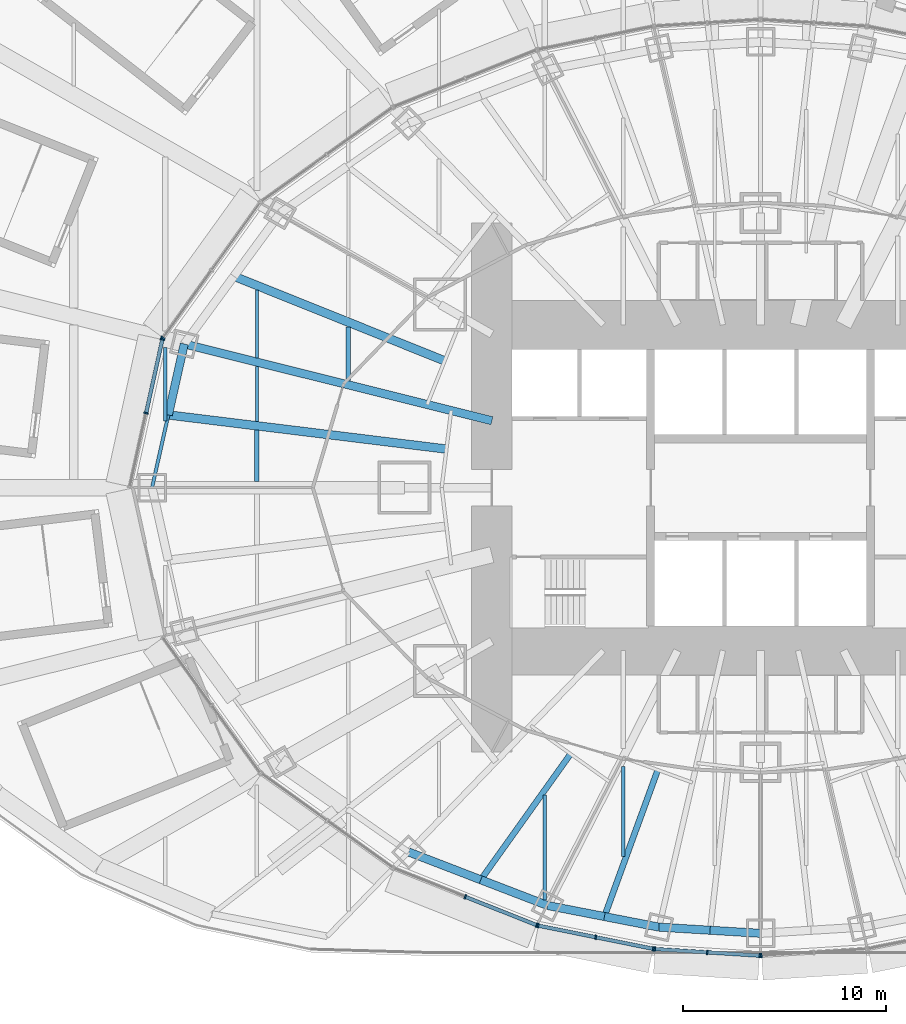
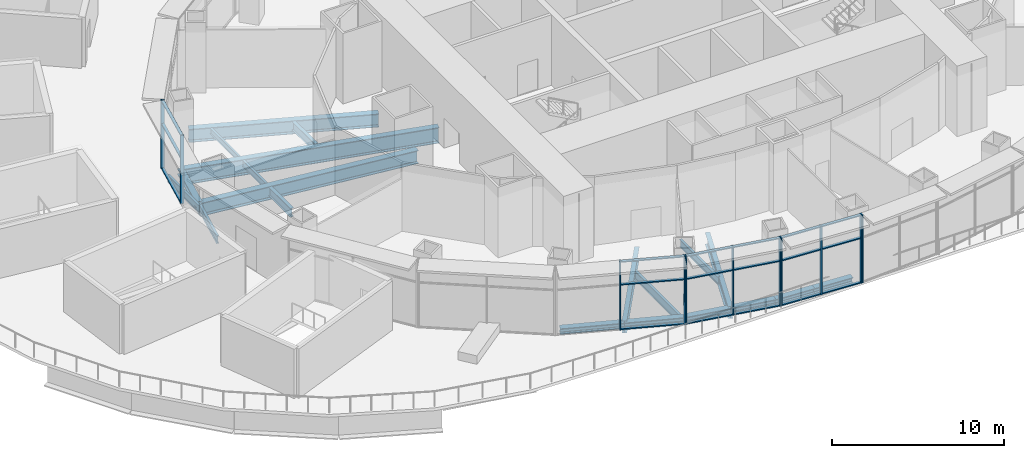
# One storey, part 3 of 25: 30 members, 20 beams, 6 elements without a shape of their own.
"""IFC4 building model written with IfcOpenShell, lengths in metres."""

from ifc_helpers import new_model, si_unit, direction, frame, origin, origin_2d, place, context, subcontext, project, spatial, rectangle, i_section, extrude, material, material_profile, profile_set, type_object, element, aggregate, save


model = new_model("IFC4")

# Units and contexts
model_context = context("Model", 3, precision=1e-05, world=origin(), true_north=direction((0.0, 1.0)))
body_context = subcontext(model_context, "Body", "Model", "MODEL_VIEW")
ifc_project = project(units=[si_unit("LENGTHUNIT", "METRE"), si_unit("AREAUNIT", "SQUARE_METRE"), si_unit("VOLUMEUNIT", "CUBIC_METRE"), si_unit("PLANEANGLEUNIT", "RADIAN"), si_unit("MASSUNIT", "GRAM", prefix="KILO")], contexts=[model_context])

# Site, building, storey
site_placement = place(None, origin())
site = spatial("IfcSite", under=ifc_project, at=site_placement, CompositionType="ELEMENT")
building_placement = place(site_placement, origin())
building = spatial("IfcBuilding", under=site, at=building_placement, Name="Lantaw Convention Tower", CompositionType="ELEMENT")
storey_placement = place(building_placement, frame((0.0, 0.0, 32.0)))
storey = spatial("IfcBuildingStorey", under=building, at=storey_placement, Name="L05", CompositionType="ELEMENT", Elevation=32.0)

# Beams
ifc_material_1 = material(Name="Steel ASTM A992", Category="steel")
ifc_material_profile_1 = material_profile(ifc_material_1, i_section(OverallWidth=0.40380859375, OverallDepth=0.406494140625, WebThickness=0.027099609375, FlangeThickness=0.043701171875, FilletRadius=0.01513671875, at=origin_2d()), Name="W14X233")
ifc_profile_set_1 = profile_set([ifc_material_profile_1], Name="Steel ASTM A992")
beam_type_1 = type_object("IfcBeamType", Name="Beam E W14X233", PredefinedType="SPANDREL", material=ifc_profile_set_1)
beam_1_placement = place(storey_placement, frame((-28.31787109375, 7.060302734375, -0.4033203125), z_axis=(-0.218673326171, -0.97579812278, 0.0), x_axis=(0.97579812278, -0.218673326171, 0.0)))
element("IfcBeam", 1, at=beam_1_placement, inside=storey, type_object=beam_type_1, Name="Edge beam 12", PredefinedType="SPANDREL", context=body_context, shape_type="SweptSolid", body=[
    extrude(i_section(OverallWidth=0.40380859375, OverallDepth=0.406494140625, WebThickness=0.027099609375, FlangeThickness=0.043701171875, FilletRadius=0.01513671875, at=origin_2d()), origin(), (0.0, 0.0, 1.0), 3.57373046875),
])
beam_2_placement = place(storey_placement, frame((-17.290771484375, -17.9052734375, -0.4033203125), z_axis=(0.933224646415, -0.359293416754, 0.0), x_axis=(0.359293416754, 0.933224646415, 0.0)))
element("IfcBeam", 2, at=beam_2_placement, inside=storey, type_object=beam_type_1, Name="Edge beam 16", PredefinedType="SPANDREL", context=body_context, shape_type="SweptSolid", body=[
    extrude(i_section(OverallWidth=0.40380859375, OverallDepth=0.406494140625, WebThickness=0.027099609375, FlangeThickness=0.043701171875, FilletRadius=0.01513671875, at=origin_2d()), origin(), (0.0, 0.0, 1.0), 3.799072265625),
])
beam_3_placement = place(storey_placement, frame((-13.745361328125, -19.270263671875, -0.4033203125), z_axis=(0.933241815012, -0.359248820058, 0.0), x_axis=(0.359248820058, 0.933241815012, 0.0)))
element("IfcBeam", 3, at=beam_3_placement, inside=storey, type_object=beam_type_1, Name="Edge beam 16", PredefinedType="SPANDREL", context=body_context, shape_type="SweptSolid", body=[
    extrude(i_section(OverallWidth=0.40380859375, OverallDepth=0.406494140625, WebThickness=0.027099609375, FlangeThickness=0.043701171875, FilletRadius=0.01513671875, at=origin_2d()), origin(), (0.0, 0.0, 1.0), 3.517578125),
])
beam_4_placement = place(storey_placement, frame((-10.462646484375, -20.533935546875, -0.4033203125), z_axis=(0.98163593748, -0.190763954266, 0.0), x_axis=(0.190763954266, 0.98163593748, 0.0)))
element("IfcBeam", 4, at=beam_4_placement, inside=storey, type_object=beam_type_1, Name="Edge beam 17", PredefinedType="SPANDREL", context=body_context, shape_type="SweptSolid", body=[
    extrude(i_section(OverallWidth=0.40380859375, OverallDepth=0.406494140625, WebThickness=0.027099609375, FlangeThickness=0.043701171875, FilletRadius=0.01513671875, at=origin_2d()), origin(), (0.0, 0.0, 1.0), 2.84375),
])
beam_5_placement = place(storey_placement, frame((-7.671142578125, -21.076416015625, -0.4033203125), z_axis=(0.981637218105, -0.190757364289, 0.0), x_axis=(0.190757364289, 0.981637218105, 0.0)))
element("IfcBeam", 5, at=beam_5_placement, inside=storey, type_object=beam_type_1, Name="Edge beam 17", PredefinedType="SPANDREL", context=body_context, shape_type="SweptSolid", body=[
    extrude(i_section(OverallWidth=0.40380859375, OverallDepth=0.406494140625, WebThickness=0.027099609375, FlangeThickness=0.043701171875, FilletRadius=0.01513671875, at=origin_2d()), origin(), (0.0, 0.0, 1.0), 2.735107421875),
])
beam_6_placement = place(storey_placement, frame((-4.986328125, -21.59814453125, -0.4033203125), z_axis=(0.998172405641, -0.060430527186, 0.0), x_axis=(0.060430527186, 0.998172405641, 0.0)))
element("IfcBeam", 6, at=beam_6_placement, inside=storey, type_object=beam_type_1, Name="Edge beam 18", PredefinedType="SPANDREL", context=body_context, shape_type="SweptSolid", body=[
    extrude(i_section(OverallWidth=0.40380859375, OverallDepth=0.406494140625, WebThickness=0.027099609375, FlangeThickness=0.043701171875, FilletRadius=0.01513671875, at=origin_2d()), origin(), (0.0, 0.0, 1.0), 2.512939453125),
])
beam_7_placement = place(storey_placement, frame((-2.47802734375, -21.75, -0.4033203125), z_axis=(0.998175328335, -0.060382231685, 0.0), x_axis=(0.060382231685, 0.998175328335, 0.0)))
element("IfcBeam", 7, at=beam_7_placement, inside=storey, type_object=beam_type_1, Name="Edge beam 18", PredefinedType="SPANDREL", context=body_context, shape_type="SweptSolid", body=[
    extrude(i_section(OverallWidth=0.40380859375, OverallDepth=0.406494140625, WebThickness=0.027099609375, FlangeThickness=0.043701171875, FilletRadius=0.01513671875, at=origin_2d()), origin(), (0.0, 0.0, 1.0), 2.482666015625),
])
ifc_material_profile_2 = material_profile(ifc_material_1, i_section(OverallWidth=0.165771484375, OverallDepth=0.5283203125, WebThickness=0.009765625, FlangeThickness=0.013671875, FilletRadius=0.012939453125, at=origin_2d()), Name="W21X50")
ifc_profile_set_2 = profile_set([ifc_material_profile_2], Name="Steel ASTM A992")
beam_type_2 = type_object("IfcBeamType", Name="Beam E W21X50", PredefinedType="SPANDREL", material=ifc_profile_set_2)
beam_8_placement = place(storey_placement, frame((-29.099365234375, 3.572998046875, -0.464111328125), z_axis=(-0.218631550323, -0.975807483679, 0.0), x_axis=(0.975807483679, -0.218631550323, 0.0)))
element("IfcBeam", 8, at=beam_8_placement, inside=storey, type_object=beam_type_2, Name="Edge beam 12", PredefinedType="SPANDREL", context=body_context, shape_type="SweptSolid", body=[
    extrude(i_section(OverallWidth=0.165771484375, OverallDepth=0.5283203125, WebThickness=0.009765625, FlangeThickness=0.013671875, FilletRadius=0.012939453125, at=origin_2d()), origin(), (0.0, 0.0, 1.0), 3.66162109375),
])
ifc_material_profile_3 = material_profile(ifc_material_1, i_section(OverallWidth=0.2919921875, OverallDepth=0.845703125, WebThickness=0.015380859375, FlangeThickness=0.0244140625, FilletRadius=0.01513671875, at=origin_2d()), Name="W33X141")
ifc_profile_set_3 = profile_set([ifc_material_profile_3], Name="Steel ASTM A992")
beam_type_3 = type_object("IfcBeamType", Name="Beam G W33X141", PredefinedType="BEAM", material=ifc_profile_set_3)
beam_9_placement = place(storey_placement, frame((-9.335693359375, -13.088134765625, -0.622802734375), z_axis=(-0.580702805158, -0.814115625745, 0.0), x_axis=(0.814115625745, -0.580702805158, 0.0)))
element("IfcBeam", 9, at=beam_9_placement, inside=storey, type_object=beam_type_3, Name="Floor girder on bisector 16", PredefinedType="BEAM", context=body_context, shape_type="SweptSolid", body=[
    extrude(i_section(OverallWidth=0.2919921875, OverallDepth=0.845703125, WebThickness=0.015380859375, FlangeThickness=0.0244140625, FilletRadius=0.01513671875, at=origin_2d()), origin(), (0.0, 0.0, 1.0), 7.59375),
])
beam_10_placement = place(storey_placement, frame((-5.04931640625, -13.873046875, -0.622802734375), z_axis=(-0.342021781151, -0.939692024664, 0.0), x_axis=(0.939692024664, -0.342021781151, 0.0)))
element("IfcBeam", 10, at=beam_10_placement, inside=storey, type_object=beam_type_3, Name="Floor girder on bisector 17", PredefinedType="BEAM", context=body_context, shape_type="SweptSolid", body=[
    extrude(i_section(OverallWidth=0.2919921875, OverallDepth=0.845703125, WebThickness=0.015380859375, FlangeThickness=0.0244140625, FilletRadius=0.01513671875, at=origin_2d()), origin(), (0.0, 0.0, 1.0), 7.665771484375),
])
ifc_material_profile_4 = material_profile(ifc_material_1, i_section(OverallWidth=0.421630859375, OverallDepth=0.937255859375, WebThickness=0.0224609375, FlangeThickness=0.039794921875, FilletRadius=0.02001953125, at=origin_2d()), Name="W36X282")
ifc_profile_set_4 = profile_set([ifc_material_profile_4], Name="Steel ASTM A992")
beam_type_4 = type_object("IfcBeamType", Name="Beam G W36X282", PredefinedType="BEAM", material=ifc_profile_set_4)
beam_11_placement = place(storey_placement, frame((-15.52001953125, 6.23046875, -0.668701171875), z_axis=(-0.928018900171, 0.372533113864, 0.0), x_axis=(-0.372533113864, -0.928018900171, 0.0)))
element("IfcBeam", 11, at=beam_11_placement, inside=storey, type_object=beam_type_4, Name="Floor girder on bisector 11", PredefinedType="BEAM", context=body_context, shape_type="SweptSolid", body=[
    extrude(i_section(OverallWidth=0.421630859375, OverallDepth=0.937255859375, WebThickness=0.0224609375, FlangeThickness=0.039794921875, FilletRadius=0.02001953125, at=origin_2d()), origin(), (0.0, 0.0, 1.0), 11.161376953125),
])
beam_12_placement = place(storey_placement, frame((-15.433349609375, 1.89501953125, -0.668701171875), z_axis=(-0.99254612715, 0.121869542874, 0.0), x_axis=(-0.121869542874, -0.99254612715, 0.0)))
element("IfcBeam", 12, at=beam_12_placement, inside=storey, type_object=beam_type_4, Name="Floor girder on bisector 12", PredefinedType="BEAM", context=body_context, shape_type="SweptSolid", body=[
    extrude(i_section(OverallWidth=0.421630859375, OverallDepth=0.937255859375, WebThickness=0.0224609375, FlangeThickness=0.039794921875, FilletRadius=0.02001953125, at=origin_2d()), origin(), (0.0, 0.0, 1.0), 13.7685546875),
])
ifc_material_profile_5 = material_profile(ifc_material_1, i_section(OverallWidth=0.40380859375, OverallDepth=1.11767578125, WebThickness=0.026123046875, FlangeThickness=0.044921875, FilletRadius=0.02001953125, at=origin_2d()), Name="W44X335")
ifc_profile_set_5 = profile_set([ifc_material_profile_5], Name="Steel ASTM A992")
beam_type_5 = type_object("IfcBeamType", Name="Beam G W44X335", PredefinedType="BEAM", material=ifc_profile_set_5)
beam_13_placement = place(storey_placement, frame((-13.199951171875, 3.291015625, -0.7587890625), z_axis=(-0.970296233567, 0.241919860957, 0.0), x_axis=(-0.241919860957, -0.970296233567, 0.0)))
element("IfcBeam", 13, at=beam_13_placement, inside=storey, type_object=beam_type_5, Name="Floor girder on ray 12", PredefinedType="BEAM", context=body_context, shape_type="SweptSolid", body=[
    extrude(i_section(OverallWidth=0.40380859375, OverallDepth=1.11767578125, WebThickness=0.026123046875, FlangeThickness=0.044921875, FilletRadius=0.02001953125, at=origin_2d()), origin(), (0.0, 0.0, 1.0), 15.580810546875),
])
ifc_material_profile_6 = material_profile(ifc_material_1, i_section(OverallWidth=0.140380859375, OverallDepth=0.40380859375, WebThickness=0.007080078125, FlangeThickness=0.01123046875, FilletRadius=0.01025390625, at=origin_2d()), Name="W16X31")
ifc_profile_set_6 = profile_set([ifc_material_profile_6], Name="Steel ASTM A992")
beam_type_6 = type_object("IfcBeamType", Name="Beam J W16X31", PredefinedType="JOIST", material=ifc_profile_set_6)
beam_14_placement = place(storey_placement, frame((-24.75, 6.37890625, -0.40185546875), z_axis=(0.0, 1.0, 0.0), x_axis=(-1.0, 0.0, 0.0)))
element("IfcBeam", 14, at=beam_14_placement, inside=storey, type_object=beam_type_6, Name="Floor joist", PredefinedType="JOIST", context=body_context, shape_type="SweptSolid", body=[
    extrude(i_section(OverallWidth=0.140380859375, OverallDepth=0.40380859375, WebThickness=0.007080078125, FlangeThickness=0.01123046875, FilletRadius=0.01025390625, at=origin_2d()), origin(), (0.0, 0.0, 1.0), 3.32958984375),
])
ifc_material_profile_7 = material_profile(ifc_material_1, i_section(OverallWidth=0.15234375, OverallDepth=0.449462890625, WebThickness=0.007568359375, FlangeThickness=0.0107421875, FilletRadius=0.01025390625, at=origin_2d()), Name="W18X35")
ifc_profile_set_7 = profile_set([ifc_material_profile_7], Name="Steel ASTM A992")
beam_type_7 = type_object("IfcBeamType", Name="Beam J W18X35", PredefinedType="JOIST", material=ifc_profile_set_7)
beam_15_placement = place(storey_placement, frame((-24.75, 3.251220703125, -0.4248046875), z_axis=(0.0, 1.0, 0.0), x_axis=(-1.0, 0.0, 0.0)))
element("IfcBeam", 15, at=beam_15_placement, inside=storey, type_object=beam_type_7, Name="Floor joist", PredefinedType="JOIST", context=body_context, shape_type="SweptSolid", body=[
    extrude(i_section(OverallWidth=0.15234375, OverallDepth=0.449462890625, WebThickness=0.007568359375, FlangeThickness=0.0107421875, FilletRadius=0.01025390625, at=origin_2d()), origin(), (0.0, 0.0, 1.0), 2.71142578125),
])
ifc_material_profile_8 = material_profile(ifc_material_1, i_section(OverallWidth=0.1650390625, OverallDepth=0.52587890625, WebThickness=0.0087890625, FlangeThickness=0.011474609375, FilletRadius=0.0126953125, at=origin_2d()), Name="W21X44")
ifc_profile_set_8 = profile_set([ifc_material_profile_8], Name="Steel ASTM A992")
beam_type_8 = type_object("IfcBeamType", Name="Beam J W21X44", PredefinedType="JOIST", material=ifc_profile_set_8)
beam_16_placement = place(storey_placement, frame((-29.25, 3.27978515625, -0.462890625), z_axis=(0.0, 1.0, 0.0), x_axis=(-1.0, 0.0, 0.0)))
element("IfcBeam", 16, at=beam_16_placement, inside=storey, type_object=beam_type_8, Name="Floor joist", PredefinedType="JOIST", context=body_context, shape_type="SweptSolid", body=[
    extrude(i_section(OverallWidth=0.1650390625, OverallDepth=0.52587890625, WebThickness=0.0087890625, FlangeThickness=0.011474609375, FilletRadius=0.0126953125, at=origin_2d()), origin(), (0.0, 0.0, 1.0), 3.600830078125),
])
beam_17_placement = place(storey_placement, frame((-6.75, -18.118408203125, -0.462890625), z_axis=(0.0, 1.0, 0.0), x_axis=(-1.0, 0.0, 0.0)))
element("IfcBeam", 17, at=beam_17_placement, inside=storey, type_object=beam_type_8, Name="Floor joist", PredefinedType="JOIST", context=body_context, shape_type="SweptSolid", body=[
    extrude(i_section(OverallWidth=0.1650390625, OverallDepth=0.52587890625, WebThickness=0.0087890625, FlangeThickness=0.011474609375, FilletRadius=0.0126953125, at=origin_2d()), origin(), (0.0, 0.0, 1.0), 4.425048828125),
])
ifc_material_profile_9 = material_profile(ifc_material_1, i_section(OverallWidth=0.177978515625, OverallDepth=0.599365234375, WebThickness=0.010009765625, FlangeThickness=0.012939453125, FilletRadius=0.012939453125, at=origin_2d()), Name="W24X55")
ifc_profile_set_9 = profile_set([ifc_material_profile_9], Name="Steel ASTM A992")
beam_type_9 = type_object("IfcBeamType", Name="Beam J W24X55", PredefinedType="JOIST", material=ifc_profile_set_9)
beam_18_placement = place(storey_placement, frame((-10.60009765625, -20.2646484375, -0.499755859375), z_axis=(0.0, 1.0, 0.0), x_axis=(-1.0, 0.0, 0.0)))
element("IfcBeam", 18, at=beam_18_placement, inside=storey, type_object=beam_type_9, Name="Floor joist", PredefinedType="JOIST", context=body_context, shape_type="SweptSolid", body=[
    extrude(i_section(OverallWidth=0.177978515625, OverallDepth=0.599365234375, WebThickness=0.010009765625, FlangeThickness=0.012939453125, FilletRadius=0.012939453125, at=origin_2d()), origin(), (0.0, 0.0, 1.0), 5.152587890625),
])
ifc_material_profile_10 = material_profile(ifc_material_1, i_section(OverallWidth=0.227783203125, OverallDepth=0.60205078125, WebThickness=0.010498046875, FlangeThickness=0.014892578125, FilletRadius=0.012939453125, at=origin_2d()), Name="W24X68")
ifc_profile_set_10 = profile_set([ifc_material_profile_10], Name="Steel ASTM A992")
beam_type_10 = type_object("IfcBeamType", Name="Beam J W24X68", PredefinedType="JOIST", material=ifc_profile_set_10)
beam_19_placement = place(storey_placement, frame((-20.25, 5.257080078125, -0.5009765625), z_axis=(0.0, 1.0, 0.0), x_axis=(-1.0, 0.0, 0.0)))
element("IfcBeam", 19, at=beam_19_placement, inside=storey, type_object=beam_type_10, Name="Floor joist", PredefinedType="JOIST", context=body_context, shape_type="SweptSolid", body=[
    extrude(i_section(OverallWidth=0.227783203125, OverallDepth=0.60205078125, WebThickness=0.010498046875, FlangeThickness=0.014892578125, FilletRadius=0.012939453125, at=origin_2d()), origin(), (0.0, 0.0, 1.0), 2.64501953125),
])
ifc_material_profile_11 = material_profile(ifc_material_1, i_section(OverallWidth=0.22900390625, OverallDepth=0.612060546875, WebThickness=0.011962890625, FlangeThickness=0.01953125, FilletRadius=0.0126953125, at=origin_2d()), Name="W24X84")
ifc_profile_set_11 = profile_set([ifc_material_profile_11], Name="Steel ASTM A992")
beam_type_11 = type_object("IfcBeamType", Name="Beam J W24X84", PredefinedType="JOIST", material=ifc_profile_set_11)
beam_20_placement = place(storey_placement, frame((-24.75, 0.300048828125, -0.506103515625), z_axis=(0.0, 1.0, 0.0), x_axis=(-1.0, 0.0, 0.0)))
element("IfcBeam", 20, at=beam_20_placement, inside=storey, type_object=beam_type_11, Name="Floor joist", PredefinedType="JOIST", context=body_context, shape_type="SweptSolid", body=[
    extrude(i_section(OverallWidth=0.22900390625, OverallDepth=0.612060546875, WebThickness=0.011962890625, FlangeThickness=0.01953125, FilletRadius=0.0126953125, at=origin_2d()), origin(), (0.0, 0.0, 1.0), 2.5263671875),
])

# Curtain wall, member
ifc_material_2 = material(Name="Aluminium framed curtain wall", Category="aluminium")
curtain_wall_type = type_object("IfcCurtainWallType", Name="Sky lobby curtain wall L05, pale aluminium", PredefinedType="USERDEFINED", material=ifc_material_2)
curtain_wall_1_placement = place(storey_placement, origin())
curtain_wall_1 = element("IfcCurtainWall", 21, at=curtain_wall_1_placement, inside=storey, type_object=curtain_wall_type, Name="Sky lobby curtain wall L05, pale aluminium L05", ObjectType="STICK CURTAIN WALL", PredefinedType="USERDEFINED")
ifc_material_3 = material(Name="Aluminium 6063-T6", Category="aluminium")
ifc_material_profile_12 = material_profile(ifc_material_3, rectangle(XDim=0.22509765625, YDim=0.074951171875, at=origin_2d()), Name="CW-HL mullion 75x225")
ifc_profile_set_12 = profile_set([ifc_material_profile_12], Name="Aluminium 6063-T6")
member_type_1 = type_object("IfcMemberType", Name="CW-HL mullion 75x225", PredefinedType="MULLION", material=ifc_profile_set_12)
member_1_placement = place(storey_placement, frame((-29.36328125, 7.35693359375, 0.0), z_axis=(0.0, 0.0, 1.0), x_axis=(0.811788726895, -0.583951250436, 0.0)))
member_1 = element("IfcMember", 22, at=member_1_placement, type_object=member_type_1, Name="CW-HL mullion 3", PredefinedType="MULLION", context=body_context, shape_type="SweptSolid", body=[
    extrude(rectangle(XDim=0.22509765625, YDim=0.074951171875, at=origin_2d()), origin(), (0.0, 0.0, 1.0), 4.85009765625),
])
aggregate(curtain_wall_1, [member_1])

# Curtain wall, members
curtain_wall_2_placement = place(storey_placement, origin())
curtain_wall_2 = element("IfcCurtainWall", 23, at=curtain_wall_2_placement, inside=storey, type_object=curtain_wall_type, Name="Sky lobby curtain wall L05, pale aluminium L05", ObjectType="STICK CURTAIN WALL", PredefinedType="USERDEFINED")
member_2_placement = place(storey_placement, frame((-29.393310546875, 7.2900390625, 0.0), z_axis=(0.0, 0.0, 1.0), x_axis=(0.976559847223, -0.215246056391, 0.0)))
member_2 = element("IfcMember", 24, at=member_2_placement, type_object=member_type_1, Name="CW-HL mullion 1", PredefinedType="MULLION", context=body_context, shape_type="SweptSolid", body=[
    extrude(rectangle(XDim=0.22509765625, YDim=0.074951171875, at=origin_2d()), origin(), (0.0, 0.0, 1.0), 4.85009765625),
])
member_3_placement = place(storey_placement, frame((-30.192626953125, 3.663330078125, 0.0), z_axis=(0.0, 0.0, 1.0), x_axis=(0.976559847223, -0.215246056391, 0.0)))
member_3 = element("IfcMember", 25, at=member_3_placement, type_object=member_type_1, Name="CW-HL mullion 2", PredefinedType="MULLION", context=body_context, shape_type="SweptSolid", body=[
    extrude(rectangle(XDim=0.22509765625, YDim=0.074951171875, at=origin_2d()), origin(), (0.0, 0.0, 1.0), 4.85009765625),
])

curtain_wall_3_placement = place(storey_placement, origin())
curtain_wall_3 = element("IfcCurtainWall", 26, at=curtain_wall_3_placement, inside=storey, type_object=curtain_wall_type, Name="Sky lobby curtain wall L05, pale aluminium L05", ObjectType="STICK CURTAIN WALL", PredefinedType="USERDEFINED")
member_4_placement = place(storey_placement, frame((-14.508544921875, -20.105224609375, 0.0), z_axis=(0.0, 0.0, 1.0), x_axis=(0.369171840425, 0.929361152748, 0.0)))
member_4 = element("IfcMember", 27, at=member_4_placement, type_object=member_type_1, Name="CW-HL mullion 2", PredefinedType="MULLION", context=body_context, shape_type="SweptSolid", body=[
    extrude(rectangle(XDim=0.22509765625, YDim=0.074951171875, at=origin_2d()), origin(), (0.0, 0.0, 1.0), 4.85009765625),
])
member_5_placement = place(storey_placement, frame((-10.996826171875, -21.500244140625, 0.0), z_axis=(0.0, 0.0, 1.0), x_axis=(0.369171840425, 0.929361152748, 0.0)))
member_5 = element("IfcMember", 28, at=member_5_placement, type_object=member_type_1, Name="CW-HL mullion 3", PredefinedType="MULLION", context=body_context, shape_type="SweptSolid", body=[
    extrude(rectangle(XDim=0.22509765625, YDim=0.074951171875, at=origin_2d()), origin(), (0.0, 0.0, 1.0), 4.85009765625),
])

curtain_wall_4_placement = place(storey_placement, origin())
curtain_wall_4 = element("IfcCurtainWall", 29, at=curtain_wall_4_placement, inside=storey, type_object=curtain_wall_type, Name="Sky lobby curtain wall L05, pale aluminium L05", ObjectType="STICK CURTAIN WALL", PredefinedType="USERDEFINED")
member_6_placement = place(storey_placement, frame((-10.92529296875, -21.521484375, 0.0), z_axis=(0.0, 0.0, 1.0), x_axis=(0.197789067813, 0.980244604501, 0.0)))
member_6 = element("IfcMember", 30, at=member_6_placement, type_object=member_type_1, Name="CW-HL mullion 1", PredefinedType="MULLION", context=body_context, shape_type="SweptSolid", body=[
    extrude(rectangle(XDim=0.22509765625, YDim=0.074951171875, at=origin_2d()), origin(), (0.0, 0.0, 1.0), 4.85009765625),
])
member_7_placement = place(storey_placement, frame((-8.097900390625, -22.092041015625, 0.0), z_axis=(0.0, 0.0, 1.0), x_axis=(0.197789067813, 0.980244604501, 0.0)))
member_7 = element("IfcMember", 31, at=member_7_placement, type_object=member_type_1, Name="CW-HL mullion 2", PredefinedType="MULLION", context=body_context, shape_type="SweptSolid", body=[
    extrude(rectangle(XDim=0.22509765625, YDim=0.074951171875, at=origin_2d()), origin(), (0.0, 0.0, 1.0), 4.85009765625),
])
member_8_placement = place(storey_placement, frame((-5.2705078125, -22.662353515625, 0.0), z_axis=(0.0, 0.0, 1.0), x_axis=(0.197789067813, 0.980244604501, 0.0)))
member_8 = element("IfcMember", 32, at=member_8_placement, type_object=member_type_1, Name="CW-HL mullion 3", PredefinedType="MULLION", context=body_context, shape_type="SweptSolid", body=[
    extrude(rectangle(XDim=0.22509765625, YDim=0.074951171875, at=origin_2d()), origin(), (0.0, 0.0, 1.0), 4.85009765625),
])

curtain_wall_5_placement = place(storey_placement, origin())
curtain_wall_5 = element("IfcCurtainWall", 33, at=curtain_wall_5_placement, inside=storey, type_object=curtain_wall_type, Name="Sky lobby curtain wall L05, pale aluminium L05", ObjectType="STICK CURTAIN WALL", PredefinedType="USERDEFINED")
member_9_placement = place(storey_placement, frame((-5.1962890625, -22.672119140625, 0.0), z_axis=(0.0, 0.0, 1.0), x_axis=(0.062958373078, 0.998016153807, 0.0)))
member_9 = element("IfcMember", 34, at=member_9_placement, type_object=member_type_1, Name="CW-HL mullion 1", PredefinedType="MULLION", context=body_context, shape_type="SweptSolid", body=[
    extrude(rectangle(XDim=0.22509765625, YDim=0.074951171875, at=origin_2d()), origin(), (0.0, 0.0, 1.0), 4.85009765625),
])
member_10_placement = place(storey_placement, frame((-2.616943359375, -22.8349609375, 0.0), z_axis=(0.0, 0.0, 1.0), x_axis=(0.062958373078, 0.998016153807, 0.0)))
member_10 = element("IfcMember", 35, at=member_10_placement, type_object=member_type_1, Name="CW-HL mullion 2", PredefinedType="MULLION", context=body_context, shape_type="SweptSolid", body=[
    extrude(rectangle(XDim=0.22509765625, YDim=0.074951171875, at=origin_2d()), origin(), (0.0, 0.0, 1.0), 4.85009765625),
])
member_11_placement = place(storey_placement, frame((-0.037353515625, -22.99755859375, 0.0), z_axis=(0.0, 0.0, 1.0), x_axis=(0.062958373078, 0.998016153807, 0.0)))
member_11 = element("IfcMember", 36, at=member_11_placement, type_object=member_type_1, Name="CW-HL mullion 3", PredefinedType="MULLION", context=body_context, shape_type="SweptSolid", body=[
    extrude(rectangle(XDim=0.22509765625, YDim=0.074951171875, at=origin_2d()), origin(), (0.0, 0.0, 1.0), 4.85009765625),
])

# Curtain wall, member
curtain_wall_6_placement = place(storey_placement, origin())
curtain_wall_6 = element("IfcCurtainWall", 37, at=curtain_wall_6_placement, inside=storey, type_object=curtain_wall_type, Name="Sky lobby curtain wall L05, pale aluminium L05", ObjectType="STICK CURTAIN WALL", PredefinedType="USERDEFINED")
member_12_placement = place(storey_placement, frame((0.037353515625, -22.99755859375, 0.0), z_axis=(0.0, 0.0, 1.0), x_axis=(-0.062958373078, 0.998016153807, 0.0)))
member_12 = element("IfcMember", 38, at=member_12_placement, type_object=member_type_1, Name="CW-HL mullion 1", PredefinedType="MULLION", context=body_context, shape_type="SweptSolid", body=[
    extrude(rectangle(XDim=0.22509765625, YDim=0.074951171875, at=origin_2d()), origin(), (0.0, 0.0, 1.0), 4.85009765625),
])
aggregate(curtain_wall_6, [member_12])

# Member
ifc_material_profile_13 = material_profile(ifc_material_3, rectangle(XDim=0.179931640625, YDim=0.074951171875, at=origin_2d()), Name="CW-HL transom 75x180")
ifc_profile_set_13 = profile_set([ifc_material_profile_13], Name="Aluminium 6063-T6")
member_type_2 = type_object("IfcMemberType", Name="CW-HL transom 75x180", PredefinedType="USERDEFINED", material=ifc_profile_set_13)
member_13_placement = place(storey_placement, frame((-29.4013671875, 7.25341796875, 0.03759765625), z_axis=(-0.215239349511, -0.976561325479, 0.0), x_axis=(0.976561325479, -0.215239349511, 0.0)))
member_13 = element("IfcMember", 39, at=member_13_placement, type_object=member_type_2, Name="CW-HL transom 1.1", ObjectType="TRANSOM", PredefinedType="USERDEFINED", context=body_context, shape_type="SweptSolid", body=[
    extrude(rectangle(XDim=0.179931640625, YDim=0.074951171875, at=origin_2d()), origin(), (0.0, 0.0, 1.0), 3.638671875),
])

member_14_placement = place(storey_placement, frame((-29.4013671875, 7.25341796875, 3.199951171875), z_axis=(-0.215239349511, -0.976561325479, 0.0), x_axis=(0.976561325479, -0.215239349511, 0.0)))
member_14 = element("IfcMember", 40, at=member_14_placement, type_object=member_type_2, Name="CW-HL transom 1.2", ObjectType="TRANSOM", PredefinedType="USERDEFINED", context=body_context, shape_type="SweptSolid", body=[
    extrude(rectangle(XDim=0.179931640625, YDim=0.074951171875, at=origin_2d()), origin(), (0.0, 0.0, 1.0), 3.638671875),
])

member_15_placement = place(storey_placement, frame((-29.4013671875, 7.25341796875, 4.8125), z_axis=(-0.215239349511, -0.976561325479, 0.0), x_axis=(0.976561325479, -0.215239349511, 0.0)))
member_15 = element("IfcMember", 41, at=member_15_placement, type_object=member_type_2, Name="CW-HL transom 1.3", ObjectType="TRANSOM", PredefinedType="USERDEFINED", context=body_context, shape_type="SweptSolid", body=[
    extrude(rectangle(XDim=0.179931640625, YDim=0.074951171875, at=origin_2d()), origin(), (0.0, 0.0, 1.0), 3.638671875),
])

aggregate(curtain_wall_2, [member_2, member_3, member_13, member_14, member_15])

member_16_placement = place(storey_placement, frame((-14.4736328125, -20.119140625, 0.03759765625), z_axis=(0.929365098875, -0.369161906206, 0.0), x_axis=(0.369161906206, 0.929365098875, 0.0)))
member_16 = element("IfcMember", 42, at=member_16_placement, type_object=member_type_2, Name="CW-HL transom 2.1", ObjectType="TRANSOM", PredefinedType="USERDEFINED", context=body_context, shape_type="SweptSolid", body=[
    extrude(rectangle(XDim=0.179931640625, YDim=0.074951171875, at=origin_2d()), origin(), (0.0, 0.0, 1.0), 3.703369140625),
])

member_17_placement = place(storey_placement, frame((-14.4736328125, -20.119140625, 3.199951171875), z_axis=(0.929365098875, -0.369161906206, 0.0), x_axis=(0.369161906206, 0.929365098875, 0.0)))
member_17 = element("IfcMember", 43, at=member_17_placement, type_object=member_type_2, Name="CW-HL transom 2.2", ObjectType="TRANSOM", PredefinedType="USERDEFINED", context=body_context, shape_type="SweptSolid", body=[
    extrude(rectangle(XDim=0.179931640625, YDim=0.074951171875, at=origin_2d()), origin(), (0.0, 0.0, 1.0), 3.703369140625),
])

member_18_placement = place(storey_placement, frame((-14.4736328125, -20.119140625, 4.8125), z_axis=(0.929365098875, -0.369161906206, 0.0), x_axis=(0.369161906206, 0.929365098875, 0.0)))
member_18 = element("IfcMember", 44, at=member_18_placement, type_object=member_type_2, Name="CW-HL transom 2.3", ObjectType="TRANSOM", PredefinedType="USERDEFINED", context=body_context, shape_type="SweptSolid", body=[
    extrude(rectangle(XDim=0.179931640625, YDim=0.074951171875, at=origin_2d()), origin(), (0.0, 0.0, 1.0), 3.703369140625),
])

aggregate(curtain_wall_3, [member_4, member_5, member_16, member_17, member_18])

member_19_placement = place(storey_placement, frame((-10.888427734375, -21.52880859375, 0.03759765625), z_axis=(0.980245016413, -0.197787026361, 0.0), x_axis=(0.197787026361, 0.980245016413, 0.0)))
member_19 = element("IfcMember", 45, at=member_19_placement, type_object=member_type_2, Name="CW-HL transom 1.1", ObjectType="TRANSOM", PredefinedType="USERDEFINED", context=body_context, shape_type="SweptSolid", body=[
    extrude(rectangle(XDim=0.179931640625, YDim=0.074951171875, at=origin_2d()), origin(), (0.0, 0.0, 1.0), 2.809326171875),
])

member_20_placement = place(storey_placement, frame((-10.888427734375, -21.52880859375, 3.199951171875), z_axis=(0.980245016413, -0.197787026361, 0.0), x_axis=(0.197787026361, 0.980245016413, 0.0)))
member_20 = element("IfcMember", 46, at=member_20_placement, type_object=member_type_2, Name="CW-HL transom 1.2", ObjectType="TRANSOM", PredefinedType="USERDEFINED", context=body_context, shape_type="SweptSolid", body=[
    extrude(rectangle(XDim=0.179931640625, YDim=0.074951171875, at=origin_2d()), origin(), (0.0, 0.0, 1.0), 2.809326171875),
])

member_21_placement = place(storey_placement, frame((-10.888427734375, -21.52880859375, 4.8125), z_axis=(0.980245016413, -0.197787026361, 0.0), x_axis=(0.197787026361, 0.980245016413, 0.0)))
member_21 = element("IfcMember", 47, at=member_21_placement, type_object=member_type_2, Name="CW-HL transom 1.3", ObjectType="TRANSOM", PredefinedType="USERDEFINED", context=body_context, shape_type="SweptSolid", body=[
    extrude(rectangle(XDim=0.179931640625, YDim=0.074951171875, at=origin_2d()), origin(), (0.0, 0.0, 1.0), 2.809326171875),
])

member_22_placement = place(storey_placement, frame((-8.06103515625, -22.099365234375, 0.03759765625), z_axis=(0.980241616431, -0.197803876141, 0.0), x_axis=(0.197803876141, 0.980241616431, 0.0)))
member_22 = element("IfcMember", 48, at=member_22_placement, type_object=member_type_2, Name="CW-HL transom 2.1", ObjectType="TRANSOM", PredefinedType="USERDEFINED", context=body_context, shape_type="SweptSolid", body=[
    extrude(rectangle(XDim=0.179931640625, YDim=0.074951171875, at=origin_2d()), origin(), (0.0, 0.0, 1.0), 2.80908203125),
])

member_23_placement = place(storey_placement, frame((-8.06103515625, -22.099365234375, 3.199951171875), z_axis=(0.980241616431, -0.197803876141, 0.0), x_axis=(0.197803876141, 0.980241616431, 0.0)))
member_23 = element("IfcMember", 49, at=member_23_placement, type_object=member_type_2, Name="CW-HL transom 2.2", ObjectType="TRANSOM", PredefinedType="USERDEFINED", context=body_context, shape_type="SweptSolid", body=[
    extrude(rectangle(XDim=0.179931640625, YDim=0.074951171875, at=origin_2d()), origin(), (0.0, 0.0, 1.0), 2.80908203125),
])

member_24_placement = place(storey_placement, frame((-8.06103515625, -22.099365234375, 4.8125), z_axis=(0.980241616431, -0.197803876141, 0.0), x_axis=(0.197803876141, 0.980241616431, 0.0)))
member_24 = element("IfcMember", 50, at=member_24_placement, type_object=member_type_2, Name="CW-HL transom 2.3", ObjectType="TRANSOM", PredefinedType="USERDEFINED", context=body_context, shape_type="SweptSolid", body=[
    extrude(rectangle(XDim=0.179931640625, YDim=0.074951171875, at=origin_2d()), origin(), (0.0, 0.0, 1.0), 2.80908203125),
])

aggregate(curtain_wall_4, [member_6, member_7, member_8, member_19, member_20, member_21, member_22, member_23, member_24])

member_25_placement = place(storey_placement, frame((-5.158935546875, -22.674560546875, 0.03759765625), z_axis=(0.998017216291, -0.062941528311, 0.0), x_axis=(0.062941528311, 0.998017216291, 0.0)))
member_25 = element("IfcMember", 51, at=member_25_placement, type_object=member_type_2, Name="CW-HL transom 1.1", ObjectType="TRANSOM", PredefinedType="USERDEFINED", context=body_context, shape_type="SweptSolid", body=[
    extrude(rectangle(XDim=0.179931640625, YDim=0.074951171875, at=origin_2d()), origin(), (0.0, 0.0, 1.0), 2.509521484375),
])

member_26_placement = place(storey_placement, frame((-5.158935546875, -22.674560546875, 3.199951171875), z_axis=(0.998017216291, -0.062941528311, 0.0), x_axis=(0.062941528311, 0.998017216291, 0.0)))
member_26 = element("IfcMember", 52, at=member_26_placement, type_object=member_type_2, Name="CW-HL transom 1.2", ObjectType="TRANSOM", PredefinedType="USERDEFINED", context=body_context, shape_type="SweptSolid", body=[
    extrude(rectangle(XDim=0.179931640625, YDim=0.074951171875, at=origin_2d()), origin(), (0.0, 0.0, 1.0), 2.509521484375),
])

member_27_placement = place(storey_placement, frame((-5.158935546875, -22.674560546875, 4.8125), z_axis=(0.998017216291, -0.062941528311, 0.0), x_axis=(0.062941528311, 0.998017216291, 0.0)))
member_27 = element("IfcMember", 53, at=member_27_placement, type_object=member_type_2, Name="CW-HL transom 1.3", ObjectType="TRANSOM", PredefinedType="USERDEFINED", context=body_context, shape_type="SweptSolid", body=[
    extrude(rectangle(XDim=0.179931640625, YDim=0.074951171875, at=origin_2d()), origin(), (0.0, 0.0, 1.0), 2.509521484375),
])

member_28_placement = place(storey_placement, frame((-2.579345703125, -22.837158203125, 0.03759765625), z_axis=(0.998010714043, -0.063044545009, 0.0), x_axis=(0.063044545009, 0.998010714043, 0.0)))
member_28 = element("IfcMember", 54, at=member_28_placement, type_object=member_type_2, Name="CW-HL transom 2.1", ObjectType="TRANSOM", PredefinedType="USERDEFINED", context=body_context, shape_type="SweptSolid", body=[
    extrude(rectangle(XDim=0.179931640625, YDim=0.074951171875, at=origin_2d()), origin(), (0.0, 0.0, 1.0), 2.50927734375),
])

member_29_placement = place(storey_placement, frame((-2.579345703125, -22.837158203125, 3.199951171875), z_axis=(0.998010714043, -0.063044545009, 0.0), x_axis=(0.063044545009, 0.998010714043, 0.0)))
member_29 = element("IfcMember", 55, at=member_29_placement, type_object=member_type_2, Name="CW-HL transom 2.2", ObjectType="TRANSOM", PredefinedType="USERDEFINED", context=body_context, shape_type="SweptSolid", body=[
    extrude(rectangle(XDim=0.179931640625, YDim=0.074951171875, at=origin_2d()), origin(), (0.0, 0.0, 1.0), 2.50927734375),
])

member_30_placement = place(storey_placement, frame((-2.579345703125, -22.837158203125, 4.8125), z_axis=(0.998010714043, -0.063044545009, 0.0), x_axis=(0.063044545009, 0.998010714043, 0.0)))
member_30 = element("IfcMember", 56, at=member_30_placement, type_object=member_type_2, Name="CW-HL transom 2.3", ObjectType="TRANSOM", PredefinedType="USERDEFINED", context=body_context, shape_type="SweptSolid", body=[
    extrude(rectangle(XDim=0.179931640625, YDim=0.074951171875, at=origin_2d()), origin(), (0.0, 0.0, 1.0), 2.50927734375),
])

aggregate(curtain_wall_5, [member_9, member_10, member_11, member_25, member_26, member_27, member_28, member_29, member_30])

save(model, "model.ifc")
